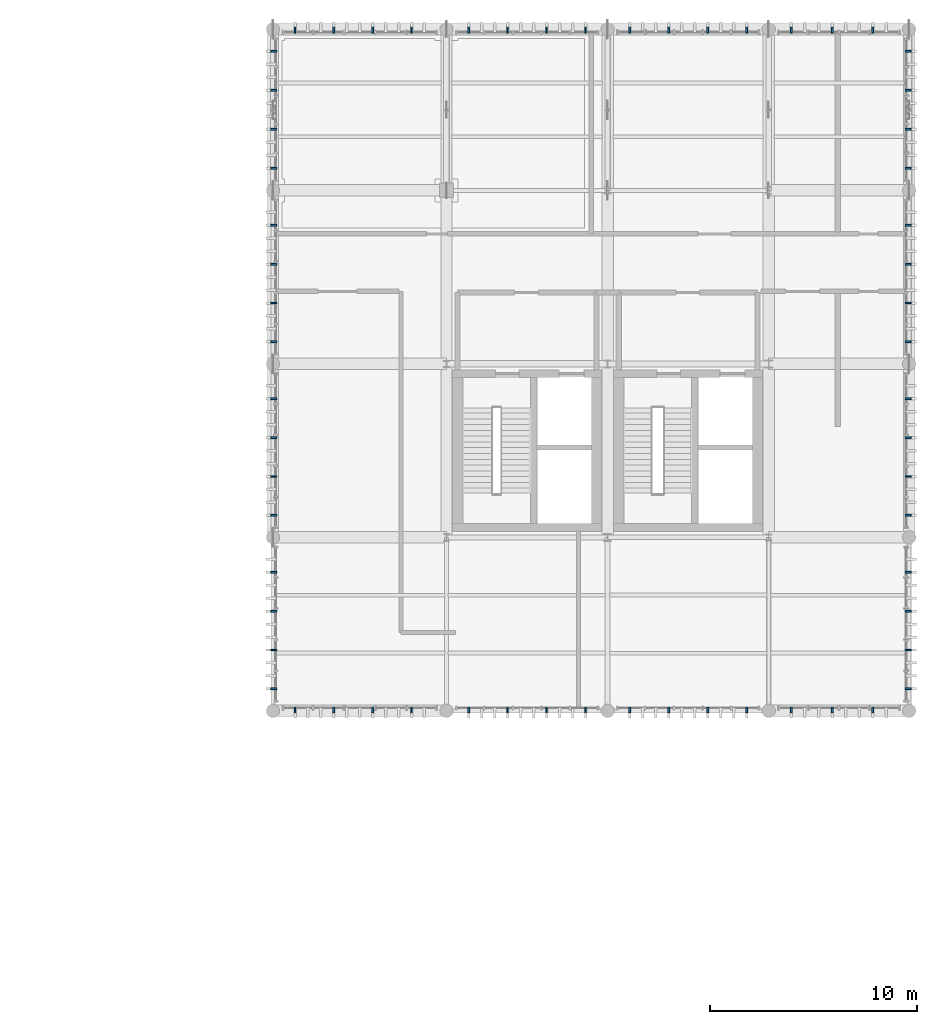
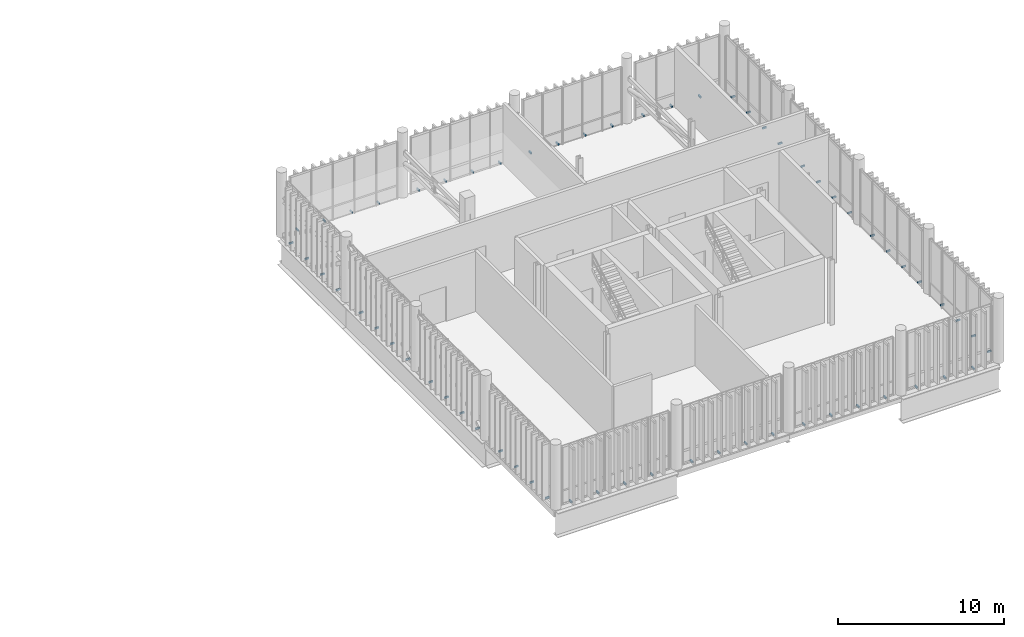
# One storey, part 75 of 81: 62 discrete accessories.
"""IFC4 building model written with IfcOpenShell, lengths in metres."""

from ifc_helpers import new_model, si_unit, direction, frame, origin_with_axes, origin_2d_with_axis, place, context, subcontext, project, spatial, rectangle, extrude, material, type_object, element, save


model = new_model("IFC4")

# Units and contexts
model_context = context("Model", 3, precision=1e-05, world=origin_with_axes(), true_north=direction((0.0, 1.0)))
body_context = subcontext(model_context, "Body", "Model", "MODEL_VIEW")
ifc_project = project(units=[si_unit("LENGTHUNIT", "METRE"), si_unit("AREAUNIT", "SQUARE_METRE"), si_unit("VOLUMEUNIT", "CUBIC_METRE"), si_unit("PLANEANGLEUNIT", "RADIAN"), si_unit("MASSUNIT", "GRAM", prefix="KILO"), si_unit("THERMODYNAMICTEMPERATUREUNIT", "KELVIN")], contexts=[model_context])

# Site, building, storey
site_placement = place(None, origin_with_axes())
site = spatial("IfcSite", under=ifc_project, at=site_placement, CompositionType="ELEMENT")
building_placement = place(site_placement, origin_with_axes())
building = spatial("IfcBuilding", under=site, at=building_placement, Name="Montbau Bow Law Courts", CompositionType="ELEMENT")
storey_placement = place(building_placement, frame((0.0, 0.0, 24.9), z_axis=(0.0, 0.0, 1.0), x_axis=(1.0, 0.0, 0.0)))
storey = spatial("IfcBuildingStorey", under=building, at=storey_placement, Name="L05", CompositionType="ELEMENT", Elevation=24.9)

# Discrete accessories
ifc_material = material(Name="Stainless Steel AISI 316L Outrigger Louvre Bracket", Category="steel")
discrete_accessory_type = type_object("IfcDiscreteAccessoryType", Name="DA-BRK-01", PredefinedType="BRACKET", material=ifc_material)
for number, where, z_axis, x_axis, name in (
    (1, (139.667, 78.04, 24.9), (0.0, 0.0, 1.0), (0.0, -1.0, 0.0), "BRK-L05-1101:brk_1101"),
    (2, (141.547, 78.04, 24.9), (0.0, 0.0, 1.0), (0.0, -1.0, 0.0), "BRK-L05-1102:brk_1102"),
    (3, (143.427, 78.04, 24.9), (0.0, 0.0, 1.0), (0.0, -1.0, 0.0), "BRK-L05-1103:brk_1103"),
    (4, (145.307, 78.04, 24.9), (0.0, 0.0, 1.0), (0.0, -1.0, 0.0), "BRK-L05-1104:brk_1104"),
    (5, (148.069, 78.04, 24.9), (0.0, 0.0, 1.0), (0.0, -1.0, 0.0), "BRK-L05-1105:brk_1105"),
    (6, (149.956, 78.04, 24.9), (0.0, 0.0, 1.0), (0.0, -1.0, 0.0), "BRK-L05-1106:brk_1106"),
    (7, (151.844, 78.04, 24.9), (0.0, 0.0, 1.0), (0.0, -1.0, 0.0), "BRK-L05-1107:brk_1107"),
    (8, (153.731, 78.04, 24.9), (0.0, 0.0, 1.0), (0.0, -1.0, 0.0), "BRK-L05-1108:brk_1108"),
    (9, (155.869, 78.04, 24.9), (0.0, 0.0, 1.0), (0.0, -1.0, 0.0), "BRK-L05-1109:brk_1109"),
    (10, (157.756, 78.04, 24.9), (0.0, 0.0, 1.0), (0.0, -1.0, 0.0), "BRK-L05-1110:brk_1110"),
    (11, (159.644, 78.04, 24.9), (0.0, 0.0, 1.0), (0.0, -1.0, 0.0), "BRK-L05-1111:brk_1111"),
    (12, (161.531, 78.04, 24.9), (0.0, 0.0, 1.0), (0.0, -1.0, 0.0), "BRK-L05-1112:brk_1112"),
    (13, (163.698, 78.04, 24.9), (0.0, 0.0, 1.0), (0.0, -1.0, 0.0), "BRK-L05-1113:brk_1113"),
    (14, (165.671, 78.04, 24.9), (0.0, 0.0, 1.0), (0.0, -1.0, 0.0), "BRK-L05-1114:brk_1114"),
    (15, (167.644, 78.04, 24.9), (0.0, 0.0, 1.0), (0.0, -1.0, 0.0), "BRK-L05-1115:brk_1115"),
    (16, (139.667, 110.96, 24.9), (0.0, 0.0, 1.0), (0.0, 1.0, 0.0), "BRK-L05-1116:brk_1116"),
    (17, (141.547, 110.96, 24.9), (0.0, 0.0, 1.0), (0.0, 1.0, 0.0), "BRK-L05-1117:brk_1117"),
    (18, (143.427, 110.96, 24.9), (0.0, 0.0, 1.0), (0.0, 1.0, 0.0), "BRK-L05-1118:brk_1118"),
    (19, (145.307, 110.96, 24.9), (0.0, 0.0, 1.0), (0.0, 1.0, 0.0), "BRK-L05-1119:brk_1119"),
    (20, (148.069, 110.96, 24.9), (0.0, 0.0, 1.0), (0.0, 1.0, 0.0), "BRK-L05-1120:brk_1120"),
    (21, (149.956, 110.96, 24.9), (0.0, 0.0, 1.0), (0.0, 1.0, 0.0), "BRK-L05-1121:brk_1121"),
    (22, (151.844, 110.96, 24.9), (0.0, 0.0, 1.0), (0.0, 1.0, 0.0), "BRK-L05-1122:brk_1122"),
    (23, (153.731, 110.96, 24.9), (0.0, 0.0, 1.0), (0.0, 1.0, 0.0), "BRK-L05-1123:brk_1123"),
    (24, (155.869, 110.96, 24.9), (0.0, 0.0, 1.0), (0.0, 1.0, 0.0), "BRK-L05-1124:brk_1124"),
    (25, (157.756, 110.96, 24.9), (0.0, 0.0, 1.0), (0.0, 1.0, 0.0), "BRK-L05-1125:brk_1125"),
    (26, (159.644, 110.96, 24.9), (0.0, 0.0, 1.0), (0.0, 1.0, 0.0), "BRK-L05-1126:brk_1126"),
    (27, (161.531, 110.96, 24.9), (0.0, 0.0, 1.0), (0.0, 1.0, 0.0), "BRK-L05-1127:brk_1127"),
    (28, (163.698, 110.96, 24.9), (0.0, 0.0, 1.0), (0.0, 1.0, 0.0), "BRK-L05-1128:brk_1128"),
    (29, (165.671, 110.96, 24.9), (0.0, 0.0, 1.0), (0.0, 1.0, 0.0), "BRK-L05-1129:brk_1129"),
    (30, (167.644, 110.96, 24.9), (0.0, 0.0, 1.0), (0.0, 1.0, 0.0), "BRK-L05-1130:brk_1130"),
    (31, (138.64, 79.067, 24.9), (0.0, 0.0, 1.0), (-1.0, 0.0, 0.0), "BRK-L05-1131:brk_1131"),
    (32, (138.64, 80.947, 24.9), (0.0, 0.0, 1.0), (-1.0, 0.0, 0.0), "BRK-L05-1132:brk_1132"),
    (33, (138.64, 82.827, 24.9), (0.0, 0.0, 1.0), (-1.0, 0.0, 0.0), "BRK-L05-1133:brk_1133"),
    (34, (138.64, 84.707, 24.9), (0.0, 0.0, 1.0), (-1.0, 0.0, 0.0), "BRK-L05-1134:brk_1134"),
    (35, (138.64, 87.467, 24.9), (0.0, 0.0, 1.0), (-1.0, 0.0, 0.0), "BRK-L05-1135:brk_1135"),
    (36, (138.64, 89.347, 24.9), (0.0, 0.0, 1.0), (-1.0, 0.0, 0.0), "BRK-L05-1136:brk_1136"),
    (37, (138.64, 91.227, 24.9), (0.0, 0.0, 1.0), (-1.0, 0.0, 0.0), "BRK-L05-1137:brk_1137"),
    (38, (138.64, 93.107, 24.9), (0.0, 0.0, 1.0), (-1.0, 0.0, 0.0), "BRK-L05-1138:brk_1138"),
    (39, (138.64, 95.867, 24.9), (0.0, 0.0, 1.0), (-1.0, 0.0, 0.0), "BRK-L05-1139:brk_1139"),
    (40, (138.64, 97.747, 24.9), (0.0, 0.0, 1.0), (-1.0, 0.0, 0.0), "BRK-L05-1140:brk_1140"),
    (41, (138.64, 99.627, 24.9), (0.0, 0.0, 1.0), (-1.0, 0.0, 0.0), "BRK-L05-1141:brk_1141"),
    (42, (138.64, 101.507, 24.9), (0.0, 0.0, 1.0), (-1.0, 0.0, 0.0), "BRK-L05-1142:brk_1142"),
    (43, (138.64, 104.269, 24.9), (0.0, 0.0, 1.0), (-1.0, 0.0, 0.0), "BRK-L05-1143:brk_1143"),
    (44, (138.64, 106.156, 24.9), (0.0, 0.0, 1.0), (-1.0, 0.0, 0.0), "BRK-L05-1144:brk_1144"),
    (45, (138.64, 108.044, 24.9), (0.0, 0.0, 1.0), (-1.0, 0.0, 0.0), "BRK-L05-1145:brk_1145"),
    (46, (138.64, 109.931, 24.9), (0.0, 0.0, 1.0), (-1.0, 0.0, 0.0), "BRK-L05-1146:brk_1146"),
    (47, (169.36, 79.067, 24.9), (0.0, 0.0, 1.0), (1.0, 0.0, 0.0), "BRK-L05-1147:brk_1147"),
    (48, (169.36, 80.947, 24.9), (0.0, 0.0, 1.0), (1.0, 0.0, 0.0), "BRK-L05-1148:brk_1148"),
    (49, (169.36, 82.827, 24.9), (0.0, 0.0, 1.0), (1.0, 0.0, 0.0), "BRK-L05-1149:brk_1149"),
    (50, (169.36, 84.707, 24.9), (0.0, 0.0, 1.0), (1.0, 0.0, 0.0), "BRK-L05-1150:brk_1150"),
    (51, (169.36, 87.467, 24.9), (0.0, 0.0, 1.0), (1.0, 0.0, 0.0), "BRK-L05-1151:brk_1151"),
    (52, (169.36, 89.347, 24.9), (0.0, 0.0, 1.0), (1.0, 0.0, 0.0), "BRK-L05-1152:brk_1152"),
    (53, (169.36, 91.227, 24.9), (0.0, 0.0, 1.0), (1.0, 0.0, 0.0), "BRK-L05-1153:brk_1153"),
    (54, (169.36, 93.107, 24.9), (0.0, 0.0, 1.0), (1.0, 0.0, 0.0), "BRK-L05-1154:brk_1154"),
    (55, (169.36, 95.867, 24.9), (0.0, 0.0, 1.0), (1.0, 0.0, 0.0), "BRK-L05-1155:brk_1155"),
    (56, (169.36, 97.747, 24.9), (0.0, 0.0, 1.0), (1.0, 0.0, 0.0), "BRK-L05-1156:brk_1156"),
    (57, (169.36, 99.627, 24.9), (0.0, 0.0, 1.0), (1.0, 0.0, 0.0), "BRK-L05-1157:brk_1157"),
    (58, (169.36, 101.507, 24.9), (0.0, 0.0, 1.0), (1.0, 0.0, 0.0), "BRK-L05-1158:brk_1158"),
    (59, (169.36, 104.269, 24.9), (0.0, 0.0, 1.0), (1.0, 0.0, 0.0), "BRK-L05-1159:brk_1159"),
    (60, (169.36, 106.156, 24.9), (0.0, 0.0, 1.0), (1.0, 0.0, 0.0), "BRK-L05-1160:brk_1160"),
    (61, (169.36, 108.044, 24.9), (0.0, 0.0, 1.0), (1.0, 0.0, 0.0), "BRK-L05-1161:brk_1161"),
    (62, (169.36, 109.931, 24.9), (0.0, 0.0, 1.0), (1.0, 0.0, 0.0), "BRK-L05-1162:brk_1162"),
):
    element("IfcDiscreteAccessory", number, at=place(None, frame(where, z_axis=z_axis, x_axis=x_axis)), inside=storey, type_object=discrete_accessory_type, Name=name, PredefinedType="BRACKET", context=body_context, shape_type="SweptSolid", body=[
        extrude(rectangle(XDim=0.28, YDim=0.09, at=origin_2d_with_axis()), origin_with_axes(), (0.0, 0.0, 1.0), 0.12),
    ])

save(model, "model.ifc")
